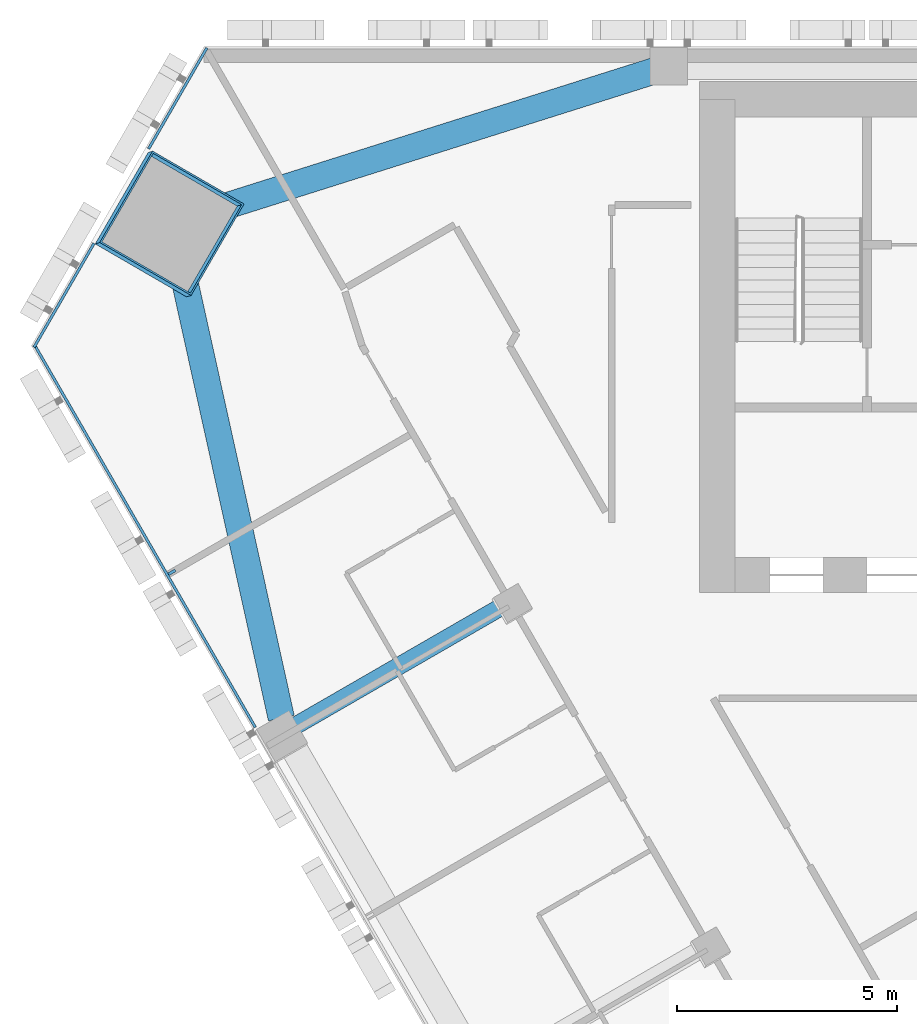
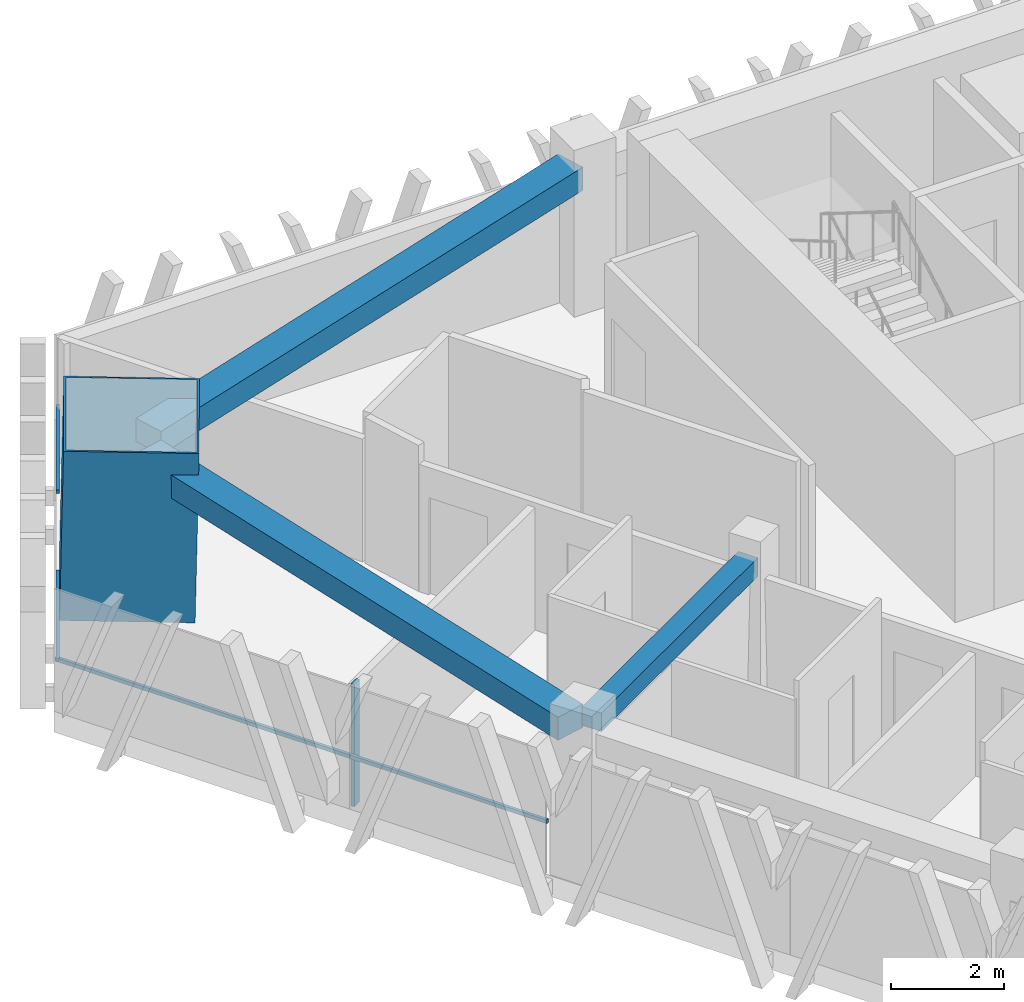
# One storey, part 5 of 16: 5 members, 3 beams, 2 elements without a shape of their own.
"""IFC4 building model written with IfcOpenShell, lengths in metres."""

from ifc_helpers import new_model, si_unit, direction, frame, origin, origin_2d, place, context, subcontext, project, spatial, rectangle, hollow_rectangle, extrude, material, layer, layer_set, material_profile, profile_set, type_object, element, aggregate, save


model = new_model("IFC4")

# Units and contexts
model_context = context("Model", 3, precision=1e-05, world=origin(), true_north=direction((0.0, 1.0)))
body_context = subcontext(model_context, "Body", "Model", "MODEL_VIEW")
ifc_project = project(units=[si_unit("LENGTHUNIT", "METRE"), si_unit("AREAUNIT", "SQUARE_METRE"), si_unit("VOLUMEUNIT", "CUBIC_METRE"), si_unit("PLANEANGLEUNIT", "RADIAN"), si_unit("MASSUNIT", "GRAM", prefix="KILO")], contexts=[model_context])

# Site, building, storey
site_placement = place(None, origin())
site = spatial("IfcSite", under=ifc_project, at=site_placement, CompositionType="ELEMENT")
building_placement = place(site_placement, origin())
building = spatial("IfcBuilding", under=site, at=building_placement, Name="Altiplano Prism Tower", CompositionType="ELEMENT")
storey_placement = place(building_placement, frame((0.0, 0.0, 127.800048828125)))
storey = spatial("IfcBuildingStorey", under=building, at=storey_placement, Name="L32", CompositionType="ELEMENT", Elevation=127.800048828125)

# Curtain wall, member
ifc_material_1 = material(Name="Aluminium and glass", Category="aluminium")
ifc_layer = layer(ifc_material_1, 0.280029296875)
ifc_layer_set = layer_set([ifc_layer], Name="Aluminium and glass")
curtain_wall_type = type_object("IfcCurtainWallType", Name="CW1 typical co-living unitised curtain wall", PredefinedType="NOTDEFINED", material=ifc_layer_set)
curtain_wall_1_placement = place(storey_placement, origin())
curtain_wall_1 = element("IfcCurtainWall", 1, at=curtain_wall_1_placement, inside=storey, type_object=curtain_wall_type, Name="CW1 curtain wall south-west face L32", PredefinedType="NOTDEFINED")
ifc_material_2 = material(Name="Aluminium", Category="aluminium")
ifc_material_profile_1 = material_profile(ifc_material_2, rectangle(XDim=0.179931640625, YDim=0.06494140625, at=origin_2d()), Name="CW1 mullion 65 x 180")
ifc_profile_set_1 = profile_set([ifc_material_profile_1], Name="Aluminium")
member_type_1 = type_object("IfcMemberType", Name="CW1 mullion 65 x 180", PredefinedType="MULLION", material=ifc_profile_set_1)
member_1_placement = place(storey_placement, frame((60.2177734375, 93.062744140625, 0.0), z_axis=(0.0, 0.0, 1.0), x_axis=(0.866025403531, 0.500000000438, 0.0)))
member_1 = element("IfcMember", 2, at=member_1_placement, type_object=member_type_1, Name="CW1 mullion", PredefinedType="MULLION", context=body_context, shape_type="SweptSolid", body=[
    extrude(rectangle(XDim=0.179931640625, YDim=0.06494140625, at=origin_2d()), origin(), (0.0, 0.0, 1.0), 2.64990234375),
])

# Curtain wall, members
curtain_wall_2_placement = place(storey_placement, origin())
curtain_wall_2 = element("IfcCurtainWall", 3, at=curtain_wall_2_placement, inside=storey, type_object=curtain_wall_type, Name="CW1 curtain wall north-west chamfer L32", PredefinedType="NOTDEFINED")
ifc_material_profile_2 = material_profile(ifc_material_2, rectangle(XDim=0.06005859375, YDim=0.080078125, at=origin_2d()), Name="CW1 transom 80 x 60")
ifc_profile_set_2 = profile_set([ifc_material_profile_2], Name="Aluminium")
member_type_2 = type_object("IfcMemberType", Name="CW1 transom 80 x 60", PredefinedType="USERDEFINED", material=ifc_profile_set_2)
member_2_placement = place(storey_placement, frame((61.01171875, 104.965087890625, 1.099853515625), z_axis=(-0.499925063183, -0.866068664253, 0.0), x_axis=(0.866068664253, -0.499925063183, 0.0)))
member_2 = element("IfcMember", 4, at=member_2_placement, type_object=member_type_2, Name="CW1 transom", ObjectType="TRANSOM", PredefinedType="USERDEFINED", context=body_context, shape_type="SweptSolid", body=[
    extrude(rectangle(XDim=0.06005859375, YDim=0.080078125, at=origin_2d()), origin(), (0.0, 0.0, 1.0), 2.642578125),
])
member_3_placement = place(storey_placement, frame((58.45068359375, 100.52880859375, 1.099853515625), z_axis=(-0.500035541724, -0.866004882788, 0.0), x_axis=(0.866004882788, -0.500035541724, 0.0)))
member_3 = element("IfcMember", 5, at=member_3_placement, type_object=member_type_2, Name="CW1 transom", ObjectType="TRANSOM", PredefinedType="USERDEFINED", context=body_context, shape_type="SweptSolid", body=[
    extrude(rectangle(XDim=0.06005859375, YDim=0.080078125, at=origin_2d()), origin(), (0.0, 0.0, 1.0), 2.722412109375),
])
aggregate(curtain_wall_2, [member_2, member_3])

# Member
member_4_placement = place(storey_placement, frame((57.08935546875, 98.2412109375, 1.099853515625), z_axis=(0.500000180633, -0.866025299496, 0.0), x_axis=(0.866025299496, 0.500000180633, 0.0)))
member_4 = element("IfcMember", 6, at=member_4_placement, type_object=member_type_2, Name="CW1 transom", ObjectType="TRANSOM", PredefinedType="USERDEFINED", context=body_context, shape_type="SweptSolid", body=[
    extrude(rectangle(XDim=0.06005859375, YDim=0.080078125, at=origin_2d()), origin(), (0.0, 0.0, 1.0), 10.04443359375),
])

aggregate(curtain_wall_1, [member_1, member_4])

# Beams
ifc_material_3 = material(Name="Concrete C60/75", Category="concrete")
ifc_material_profile_3 = material_profile(ifc_material_3, rectangle(XDim=0.60009765625, YDim=0.5, at=origin_2d()), Name="Edge beam 600x500")
ifc_profile_set_3 = profile_set([ifc_material_profile_3], Name="Concrete C60/75")
beam_type_1 = type_object("IfcBeamType", Name="Edge beam 600x500", PredefinedType="SPANDREL", material=ifc_profile_set_3)
for number, where, z_axis, x_axis, name in (
    (7, (71.189453125, 104.451904296875, 2.89990234375), (-0.953564307249, -0.301189495069, 0.0), (0.301189495069, -0.953564307249, 0.0), "Edge beam P04-M0 L33"),
    (8, (60.315185546875, 100.547119140625, 2.89990234375), (0.21594598208, -0.976405311755, 0.0), (0.976405311755, 0.21594598208, 0.0), "Edge beam M0-P11 L33"),
):
    element("IfcBeam", number, at=place(storey_placement, frame(where, z_axis=z_axis, x_axis=x_axis)), inside=storey, type_object=beam_type_1, Name=name, PredefinedType="SPANDREL", context=body_context, shape_type="SweptSolid", body=[
        extrude(rectangle(XDim=0.60009765625, YDim=0.5, at=origin_2d()), origin(), (0.0, 0.0, 1.0), 11.0556640625),
    ])

# Member
ifc_material_4 = material(Name="Steel S460", Category="steel")
ifc_material_profile_4 = material_profile(ifc_material_4, hollow_rectangle(XDim=2.39990234375, YDim=2.39990234375, WallThickness=0.0400390625, at=origin_2d()), Name="Mega column tube 2400")
ifc_profile_set_4 = profile_set([ifc_material_profile_4], Name="Steel S460")
member_type_3 = type_object("IfcMemberType", Name="Mega column tube 2400", PredefinedType="POST", material=ifc_profile_set_4)
member_5_placement = place(storey_placement, frame((60.11572265625, 100.953125, 0.0), z_axis=(0.028403739082, 0.009219352065, 0.999554016126), x_axis=(-0.865118537923, 0.501170103086, 0.019961039903)))
element("IfcMember", 9, at=member_5_placement, inside=storey, type_object=member_type_3, Name="Mega column tube M0 L32", PredefinedType="POST", context=body_context, shape_type="SweptSolid", body=[
    extrude(hollow_rectangle(XDim=2.39990234375, YDim=2.39990234375, WallThickness=0.0400390625, at=origin_2d()), origin(), (0.0, 0.0, 1.0), 3.6015625),
])

# Beam
ifc_material_profile_5 = material_profile(ifc_material_3, rectangle(XDim=0.39990234375, YDim=0.39990234375, at=origin_2d()), Name="Tie beam 400x400")
ifc_profile_set_5 = profile_set([ifc_material_profile_5], Name="Concrete C60/75")
beam_type_2 = type_object("IfcBeamType", Name="Tie beam 400x400", PredefinedType="BEAM", material=ifc_profile_set_5)
beam_placement = place(storey_placement, frame((67.834716796875, 92.356689453125, 2.949951171875), z_axis=(-0.866016055733, -0.50001619095, 0.0), x_axis=(0.50001619095, -0.866016055733, 0.0)))
element("IfcBeam", 10, at=beam_placement, inside=storey, type_object=beam_type_2, Name="Tie beam I11 L33", PredefinedType="BEAM", context=body_context, shape_type="SweptSolid", body=[
    extrude(rectangle(XDim=0.39990234375, YDim=0.39990234375, at=origin_2d()), origin(), (0.0, 0.0, 1.0), 5.539794921875),
])

save(model, "model.ifc")
